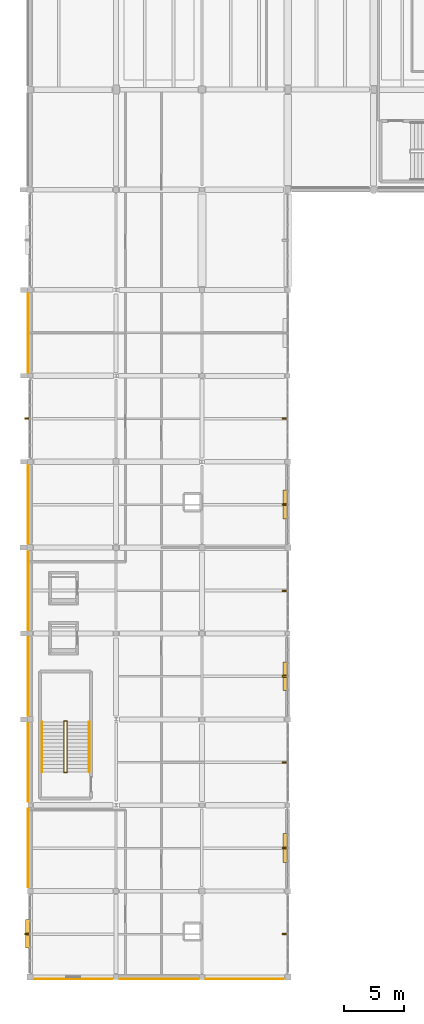
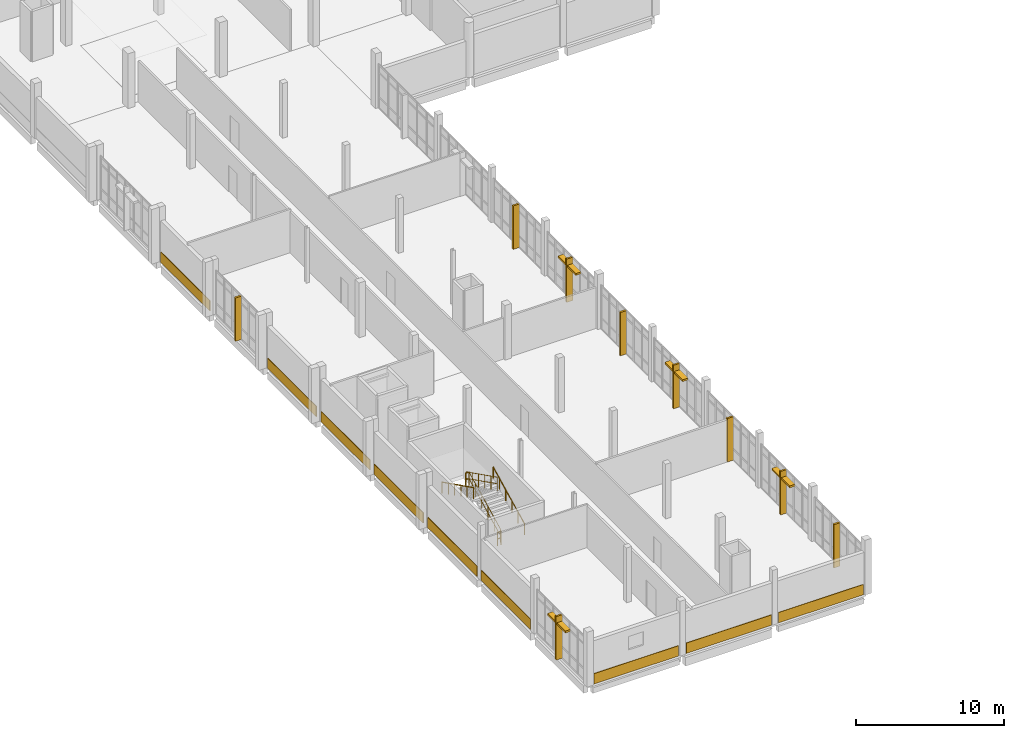
# One storey, part 58 of 62: 13 shading devices, 9 coverings, 6 railings.
"""IFC4 building model written with IfcOpenShell, lengths in metres."""

from ifc_helpers import new_model, si_unit, direction, frame, origin, origin_2d, place, context, subcontext, project, spatial, rectangle, circle, extrude, material, layer, layer_set, type_object, element, save


model = new_model("IFC4")

# Units and contexts
model_context = context("Model", 3, precision=1e-05, world=origin(), true_north=direction((0.0, 1.0)))
body_context = subcontext(model_context, "Body", "Model", "MODEL_VIEW")
ifc_project = project(units=[si_unit("LENGTHUNIT", "METRE"), si_unit("AREAUNIT", "SQUARE_METRE"), si_unit("VOLUMEUNIT", "CUBIC_METRE"), si_unit("PLANEANGLEUNIT", "RADIAN"), si_unit("MASSUNIT", "GRAM", prefix="KILO")], contexts=[model_context])

# Site, building, storey
site_placement = place(None, origin())
site = spatial("IfcSite", under=ifc_project, at=site_placement, CompositionType="ELEMENT")
building_placement = place(site_placement, origin())
building = spatial("IfcBuilding", under=site, at=building_placement, Name="Kalluvel Institute of Natural Sciences", CompositionType="ELEMENT")
storey_placement = place(building_placement, frame((0.0, 0.0, 27.89990234375)))
storey = spatial("IfcBuildingStorey", under=building, at=storey_placement, Name="L06", CompositionType="ELEMENT", Elevation=27.89990234375)

# Coverings
ifc_material_1 = material(Name="Sadarahalli Grey Granite Ashlar Concrete M40", Category="masonry")
ifc_layer = layer(ifc_material_1, 0.044921875)
ifc_layer_set = layer_set([ifc_layer], Name="Sadarahalli Grey Granite Ashlar Concrete M40")
covering_type = type_object("IfcCoveringType", Name="COV-CLAD-STONE", PredefinedType="CLADDING", material=ifc_layer_set)
for number, where, z_axis, x_axis, name in (
    (1, (13.830078125, 39.21240234375, 0.025146484375), (0.0, 0.0, 1.0), (0.0, 1.0, 0.0), "L06 Sadarahalli granite plinth spandrel cladding 191"),
    (2, (13.820068359375, 46.387451171875, 0.025146484375), (0.0, 0.0, 1.0), (0.0, 1.0, 0.0), "L06 Sadarahalli granite plinth spandrel cladding 192"),
    (3, (13.820068359375, 53.612548828125, 0.025146484375), (0.0, 0.0, 1.0), (0.0, 1.0, 0.0), "L06 Sadarahalli granite plinth spandrel cladding 193"),
):
    element("IfcCovering", number, at=place(storey_placement, frame(where, z_axis=z_axis, x_axis=x_axis)), inside=storey, type_object=covering_type, Name=name, PredefinedType="CLADDING", context=body_context, shape_type="SweptSolid", body=[
        extrude(rectangle(XDim=6.614990234375, YDim=0.044921875, at=origin_2d()), origin(), (0.0, 0.0, 1.0), 0.85009765625),
    ])
covering_1_placement = place(storey_placement, frame((13.820068359375, 60.77490234375, 0.025146484375), z_axis=(0.0, 0.0, 1.0), x_axis=(0.0, 1.0, 0.0)))
element("IfcCovering", 4, at=covering_1_placement, inside=storey, type_object=covering_type, Name="L06 Sadarahalli granite plinth spandrel cladding 194", PredefinedType="CLADDING", context=body_context, shape_type="SweptSolid", body=[
    extrude(rectangle(XDim=6.590087890625, YDim=0.044921875, at=origin_2d()), origin(), (0.0, 0.0, 1.0), 0.85009765625),
])
covering_2_placement = place(storey_placement, frame((13.830078125, 68.012451171875, 0.025146484375), z_axis=(0.0, 0.0, 1.0), x_axis=(0.0, 1.0, 0.0)))
element("IfcCovering", 5, at=covering_2_placement, inside=storey, type_object=covering_type, Name="L06 Sadarahalli granite plinth spandrel cladding 195", PredefinedType="CLADDING", context=body_context, shape_type="SweptSolid", body=[
    extrude(rectangle(XDim=6.56494140625, YDim=0.044921875, at=origin_2d()), origin(), (0.0, 0.0, 1.0), 0.85009765625),
])
covering_3_placement = place(storey_placement, frame((13.830078125, 82.387451171875, 0.025146484375), z_axis=(0.0, 0.0, 1.0), x_axis=(0.0, 1.0, 0.0)))
element("IfcCovering", 6, at=covering_3_placement, inside=storey, type_object=covering_type, Name="L06 Sadarahalli granite plinth spandrel cladding 196", PredefinedType="CLADDING", context=body_context, shape_type="SweptSolid", body=[
    extrude(rectangle(XDim=6.614990234375, YDim=0.044921875, at=origin_2d()), origin(), (0.0, 0.0, 1.0), 0.85009765625),
])
covering_4_placement = place(storey_placement, frame((17.612548828125, 28.22998046875, 0.025146484375), z_axis=(0.0, 0.0, 1.0), x_axis=(1.0, 0.0, 0.0)))
element("IfcCovering", 7, at=covering_4_placement, inside=storey, type_object=covering_type, Name="L06 Sadarahalli granite plinth spandrel cladding 198", PredefinedType="CLADDING", context=body_context, shape_type="SweptSolid", body=[
    extrude(rectangle(XDim=6.56494140625, YDim=0.044921875, at=origin_2d()), origin(), (0.0, 0.0, 1.0), 0.85009765625),
])
covering_5_placement = place(storey_placement, frame((24.8125, 28.22998046875, 0.025146484375), z_axis=(0.0, 0.0, 1.0), x_axis=(1.0, 0.0, 0.0)))
element("IfcCovering", 8, at=covering_5_placement, inside=storey, type_object=covering_type, Name="L06 Sadarahalli granite plinth spandrel cladding 199", PredefinedType="CLADDING", context=body_context, shape_type="SweptSolid", body=[
    extrude(rectangle(XDim=6.614990234375, YDim=0.044921875, at=origin_2d()), origin(), (0.0, 0.0, 1.0), 0.85009765625),
])
covering_6_placement = place(storey_placement, frame((31.97509765625, 28.22998046875, 0.025146484375), z_axis=(0.0, 0.0, 1.0), x_axis=(1.0, 0.0, 0.0)))
element("IfcCovering", 9, at=covering_6_placement, inside=storey, type_object=covering_type, Name="L06 Sadarahalli granite plinth spandrel cladding 200", PredefinedType="CLADDING", context=body_context, shape_type="SweptSolid", body=[
    extrude(rectangle(XDim=6.590087890625, YDim=0.044921875, at=origin_2d()), origin(), (0.0, 0.0, 1.0), 0.85009765625),
])

# Railings
ifc_material_2 = material(Name="Galvanized Fire-Rated Steel", Category="steel")
railing_type_1 = type_object("IfcRailingType", Name="RL-GD-STAIR", PredefinedType="BALUSTRADE", material=ifc_material_2)
railing_1_placement = place(storey_placement, frame((17.090087890625, 45.60009765625, 0.150146484375)))
element("IfcRailing", 10, at=railing_1_placement, inside=storey, type_object=railing_type_1, Name="L06 ST4 stair guard 1", PredefinedType="BALUSTRADE", context=body_context, shape_type="SweptSolid", body=[
    extrude(circle(Radius=0.02392578125, at=origin_2d()), frame((0.0, 0.0, 1.09619140625), z_axis=(0.0, 0.894437589381, 0.447192798132), x_axis=(-1.0, 0.0, 0.0)), (0.0, 0.0, 1.0), 4.695556640625),
    extrude(circle(Radius=0.02392578125, at=origin_2d()), frame((0.0, 0.0, 0.56005859375), z_axis=(0.0, 0.894437589381, 0.447192798132), x_axis=(-1.0, 0.0, 0.0)), (0.0, 0.0, 1.0), 4.695556640625),
    extrude(circle(Radius=0.02099609375, at=origin_2d()), origin(), (0.0, 0.0, 1.0), 1.072021484375),
    extrude(circle(Radius=0.02099609375, at=origin_2d()), frame((0.0, 0.840087890625, 0.419921875)), (0.0, 0.0, 1.0), 1.072021484375),
    extrude(circle(Radius=0.02099609375, at=origin_2d()), frame((0.0, 1.679931640625, 0.83984375)), (0.0, 0.0, 1.0), 1.072021484375),
    extrude(circle(Radius=0.02099609375, at=origin_2d()), frame((0.0, 2.52001953125, 1.260009765625)), (0.0, 0.0, 1.0), 1.072021484375),
    extrude(circle(Radius=0.02099609375, at=origin_2d()), frame((0.0, 3.35986328125, 1.679931640625)), (0.0, 0.0, 1.0), 1.072021484375),
    extrude(circle(Radius=0.02099609375, at=origin_2d()), frame((0.0, 4.199951171875, 2.099853515625)), (0.0, 0.0, 1.0), 1.072021484375),
])
railing_2_placement = place(storey_placement, frame((17.10498046875, 49.85009765625, 2.25)))
element("IfcRailing", 11, at=railing_2_placement, inside=storey, type_object=railing_type_1, Name="L06 ST4 stair guard 2", PredefinedType="BALUSTRADE", context=body_context, shape_type="SweptSolid", body=[
    extrude(circle(Radius=0.02392578125, at=origin_2d()), frame((0.0, 0.0, 1.09619140625), z_axis=(-1.0, 0.0, 0.0), x_axis=(0.0, -1.0, 0.0)), (0.0, 0.0, 1.0), 0.280029296875),
    extrude(circle(Radius=0.02392578125, at=origin_2d()), frame((0.0, 0.0, 0.56005859375), z_axis=(-1.0, 0.0, 0.0), x_axis=(0.0, -1.0, 0.0)), (0.0, 0.0, 1.0), 0.280029296875),
    extrude(circle(Radius=0.02099609375, at=origin_2d()), origin(), (0.0, 0.0, 1.0), 1.072021484375),
    extrude(circle(Radius=0.02099609375, at=origin_2d()), frame((-0.280029296875, 0.0, 0.0)), (0.0, 0.0, 1.0), 1.072021484375),
])
railing_3_placement = place(storey_placement, frame((16.840087890625, 49.800048828125, 2.400146484375)))
element("IfcRailing", 12, at=railing_3_placement, inside=storey, type_object=railing_type_1, Name="L06 ST4 stair guard 3", PredefinedType="BALUSTRADE", context=body_context, shape_type="SweptSolid", body=[
    extrude(circle(Radius=0.02392578125, at=origin_2d()), frame((0.0, 0.0, 1.09619140625), z_axis=(0.0, -0.894437589381, 0.447192798132), x_axis=(1.0, 0.0, 0.0)), (0.0, 0.0, 1.0), 4.695556640625),
    extrude(circle(Radius=0.02392578125, at=origin_2d()), frame((0.0, 0.0, 0.56005859375), z_axis=(0.0, -0.894437589381, 0.447192798132), x_axis=(1.0, 0.0, 0.0)), (0.0, 0.0, 1.0), 4.695556640625),
    extrude(circle(Radius=0.02099609375, at=origin_2d()), origin(), (0.0, 0.0, 1.0), 1.072021484375),
    extrude(circle(Radius=0.02099609375, at=origin_2d()), frame((0.0, -0.840087890625, 0.419921875)), (0.0, 0.0, 1.0), 1.072021484375),
    extrude(circle(Radius=0.02099609375, at=origin_2d()), frame((0.0, -1.679931640625, 0.83984375)), (0.0, 0.0, 1.0), 1.072021484375),
    extrude(circle(Radius=0.02099609375, at=origin_2d()), frame((0.0, -2.52001953125, 1.260009765625)), (0.0, 0.0, 1.0), 1.072021484375),
    extrude(circle(Radius=0.02099609375, at=origin_2d()), frame((0.0, -3.35986328125, 1.679931640625)), (0.0, 0.0, 1.0), 1.072021484375),
    extrude(circle(Radius=0.02099609375, at=origin_2d()), frame((0.0, -4.199951171875, 2.099853515625)), (0.0, 0.0, 1.0), 1.072021484375),
])
railing_4_placement = place(storey_placement, frame((17.10498046875, 45.550048828125, 0.0)))
element("IfcRailing", 13, at=railing_4_placement, inside=storey, type_object=railing_type_1, Name="L06 ST4 stair guard 4", PredefinedType="BALUSTRADE", context=body_context, shape_type="SweptSolid", body=[
    extrude(circle(Radius=0.02392578125, at=origin_2d()), frame((0.0, 0.0, 1.09619140625), z_axis=(-1.0, 0.0, 0.0), x_axis=(0.0, -1.0, 0.0)), (0.0, 0.0, 1.0), 0.280029296875),
    extrude(circle(Radius=0.02392578125, at=origin_2d()), frame((0.0, 0.0, 0.56005859375), z_axis=(-1.0, 0.0, 0.0), x_axis=(0.0, -1.0, 0.0)), (0.0, 0.0, 1.0), 0.280029296875),
    extrude(circle(Radius=0.02099609375, at=origin_2d()), origin(), (0.0, 0.0, 1.0), 1.072021484375),
    extrude(circle(Radius=0.02099609375, at=origin_2d()), frame((-0.280029296875, 0.0, 0.0)), (0.0, 0.0, 1.0), 1.072021484375),
])
railing_type_2 = type_object("IfcRailingType", Name="RL-HR-STAIR", PredefinedType="HANDRAIL", material=ifc_material_2)
railing_5_placement = place(storey_placement, frame((18.949951171875, 45.60009765625, 0.150146484375)))
element("IfcRailing", 14, at=railing_5_placement, inside=storey, type_object=railing_type_2, Name="L06 ST4 stair handrail 1", PredefinedType="HANDRAIL", context=body_context, shape_type="SweptSolid", body=[
    extrude(circle(Radius=0.02392578125, at=origin_2d()), frame((0.0, 0.0, 0.89599609375), z_axis=(0.0, 0.894437589381, 0.447192798132), x_axis=(-1.0, 0.0, 0.0)), (0.0, 0.0, 1.0), 4.695556640625),
    extrude(circle(Radius=0.02099609375, at=origin_2d()), origin(), (0.0, 0.0, 1.0), 0.871826171875),
    extrude(circle(Radius=0.02099609375, at=origin_2d()), frame((0.0, 0.840087890625, 0.419921875)), (0.0, 0.0, 1.0), 0.871826171875),
    extrude(circle(Radius=0.02099609375, at=origin_2d()), frame((0.0, 1.679931640625, 0.83984375)), (0.0, 0.0, 1.0), 0.871826171875),
    extrude(circle(Radius=0.02099609375, at=origin_2d()), frame((0.0, 2.52001953125, 1.260009765625)), (0.0, 0.0, 1.0), 0.871826171875),
    extrude(circle(Radius=0.02099609375, at=origin_2d()), frame((0.0, 3.35986328125, 1.679931640625)), (0.0, 0.0, 1.0), 0.871826171875),
    extrude(circle(Radius=0.02099609375, at=origin_2d()), frame((0.0, 4.199951171875, 2.099853515625)), (0.0, 0.0, 1.0), 0.871826171875),
])
railing_6_placement = place(storey_placement, frame((14.97998046875, 49.800048828125, 2.400146484375)))
element("IfcRailing", 15, at=railing_6_placement, inside=storey, type_object=railing_type_2, Name="L06 ST4 stair handrail 2", PredefinedType="HANDRAIL", context=body_context, shape_type="SweptSolid", body=[
    extrude(circle(Radius=0.02392578125, at=origin_2d()), frame((0.0, 0.0, 0.89599609375), z_axis=(0.0, -0.894437589381, 0.447192798132), x_axis=(1.0, 0.0, 0.0)), (0.0, 0.0, 1.0), 4.695556640625),
    extrude(circle(Radius=0.02099609375, at=origin_2d()), origin(), (0.0, 0.0, 1.0), 0.871826171875),
    extrude(circle(Radius=0.02099609375, at=origin_2d()), frame((0.0, -0.840087890625, 0.419921875)), (0.0, 0.0, 1.0), 0.871826171875),
    extrude(circle(Radius=0.02099609375, at=origin_2d()), frame((0.0, -1.679931640625, 0.83984375)), (0.0, 0.0, 1.0), 0.871826171875),
    extrude(circle(Radius=0.02099609375, at=origin_2d()), frame((0.0, -2.52001953125, 1.260009765625)), (0.0, 0.0, 1.0), 0.871826171875),
    extrude(circle(Radius=0.02099609375, at=origin_2d()), frame((0.0, -3.35986328125, 1.679931640625)), (0.0, 0.0, 1.0), 0.871826171875),
    extrude(circle(Radius=0.02099609375, at=origin_2d()), frame((0.0, -4.199951171875, 2.099853515625)), (0.0, 0.0, 1.0), 0.871826171875),
])

# Shading devices
shading_device_type_1 = type_object("IfcShadingDeviceType", Name="SHD-FIN-STONE", PredefinedType="USERDEFINED", material=ifc_material_1)
for number, where, z_axis, x_axis, name in (
    (16, (13.780029296875, 32.012451171875, 0.0), (0.0, 0.0, 1.0), (0.0, 1.0, 0.0), "L06 monsoon lancet shading fin 204"),
    (17, (13.780029296875, 75.21240234375, 0.0), (0.0, 0.0, 1.0), (0.0, 1.0, 0.0), "L06 monsoon lancet shading fin 206"),
    (18, (35.3798828125, 32.012451171875, 0.0), (0.0, 0.0, 1.0), (0.0, 1.0, 0.0), "L06 monsoon lancet shading fin 209"),
    (19, (35.3798828125, 39.21240234375, 0.0), (0.0, 0.0, 1.0), (0.0, 1.0, 0.0), "L06 monsoon lancet shading fin 210"),
    (20, (35.3798828125, 46.387451171875, 0.0), (0.0, 0.0, 1.0), (0.0, 1.0, 0.0), "L06 monsoon lancet shading fin 212"),
    (21, (35.3798828125, 53.612548828125, 0.0), (0.0, 0.0, 1.0), (0.0, 1.0, 0.0), "L06 monsoon lancet shading fin 213"),
    (22, (35.3798828125, 60.77490234375, 0.0), (0.0, 0.0, 1.0), (0.0, 1.0, 0.0), "L06 monsoon lancet shading fin 215"),
    (23, (35.3798828125, 68.012451171875, 0.0), (0.0, 0.0, 1.0), (0.0, 1.0, 0.0), "L06 monsoon lancet shading fin 216"),
    (24, (35.3798828125, 75.21240234375, 0.0), (0.0, 0.0, 1.0), (0.0, 1.0, 0.0), "L06 monsoon lancet shading fin 218"),
):
    element("IfcShadingDevice", number, at=place(storey_placement, frame(where, z_axis=z_axis, x_axis=x_axis)), inside=storey, type_object=shading_device_type_1, Name=name, ObjectType="MONSOON FIN", PredefinedType="USERDEFINED", context=body_context, shape_type="SweptSolid", body=[
        extrude(rectangle(XDim=0.139892578125, YDim=0.47998046875, at=origin_2d()), origin(), (0.0, 0.0, 1.0), 3.570068359375),
    ])
ifc_material_3 = material(Name="Aluminium AW-6063 T6", Category="aluminium")
shading_device_type_2 = type_object("IfcShadingDeviceType", Name="SHD-LOUV-ALU", PredefinedType="JALOUSIE", material=ifc_material_3)
for number, where, z_axis, x_axis, name in (
    (25, (13.800048828125, 32.012451171875, 2.89013671875), (0.0, 0.0, 1.0), (0.0, 1.0, 0.0), "L06 aluminium sun-shading louvre 205"),
    (26, (35.39990234375, 39.21240234375, 2.89013671875), (0.0, 0.0, 1.0), (0.0, 1.0, 0.0), "L06 aluminium sun-shading louvre 211"),
    (27, (35.39990234375, 53.612548828125, 2.89013671875), (0.0, 0.0, 1.0), (0.0, 1.0, 0.0), "L06 aluminium sun-shading louvre 214"),
    (28, (35.39990234375, 68.012451171875, 2.89013671875), (0.0, 0.0, 1.0), (0.0, 1.0, 0.0), "L06 aluminium sun-shading louvre 217"),
):
    element("IfcShadingDevice", number, at=place(storey_placement, frame(where, z_axis=z_axis, x_axis=x_axis)), inside=storey, type_object=shading_device_type_2, Name=name, PredefinedType="JALOUSIE", context=body_context, shape_type="SweptSolid", body=[
        extrude(rectangle(XDim=2.39990234375, YDim=0.419921875, at=origin_2d()), origin(), (0.0, 0.0, 1.0), 0.159912109375),
    ])

save(model, "model.ifc")
